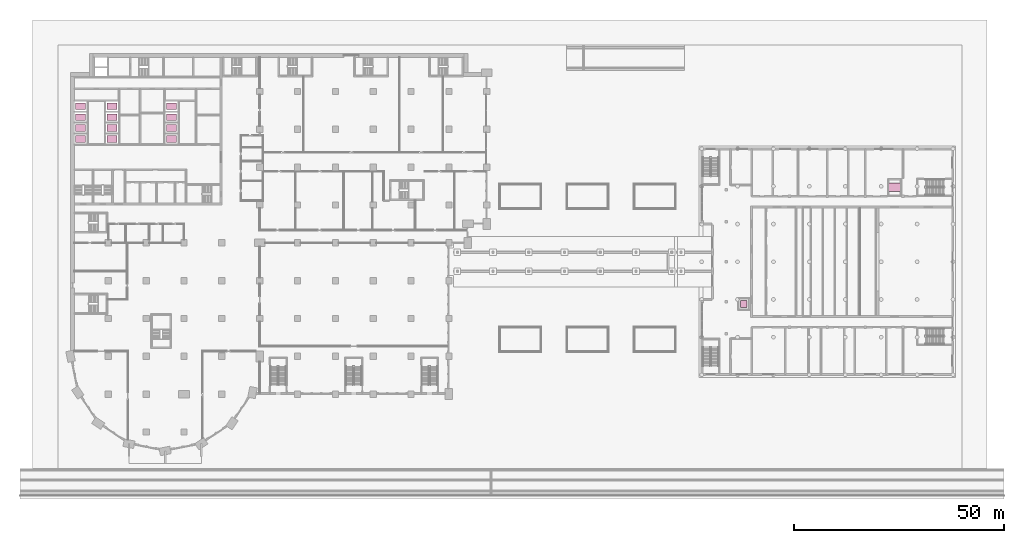
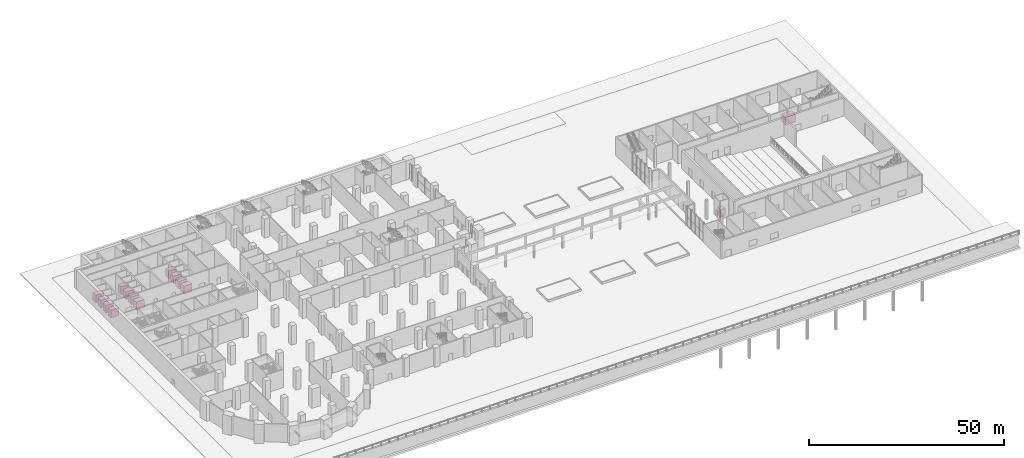
# One storey, part 47 of 47: 14 transport elements.
"""IFC4 building model written with IfcOpenShell, lengths in metres."""

import ifcopenshell
import ifcopenshell.guid

model = None  # the IFC model being written
_history = None  # IfcOwnerHistory: only IFC2X3 demands one
_inside = {}  # id of a spatial element -> (the spatial element, [elements in it])
_under = {}  # id of a project, library or spatial element -> (it, [spatial elements below it])
_declared = {}  # id of a project -> (the project, [libraries it declares])
_typed = {}  # id of a type object -> (the type object, [elements of that type])
_made_of = {}  # id of a material, layer set ... -> (it, [elements and type objects made of it])


def new_model(schema):
    """Start an empty IFC model of exactly this schema.

    Asked for "IFC4X3", IfcOpenShell would pick the latest addendum, in which some entities
    have other attributes; the version numbers below select the first issue.
    IFC2X3 requires an IfcOwnerHistory on every rooted entity: one is made here for all.
    """
    global model, _history
    if schema == "IFC4X3":
        model = ifcopenshell.file(schema_version=(4, 3, 0, 0))
    else:
        model = ifcopenshell.file(schema=schema)
    _inside.clear()
    _under.clear()
    _declared.clear()
    _typed.clear()
    _made_of.clear()
    _history = None
    if model.schema == "IFC2X3":
        org = make("IfcOrganization", Name="unknown")
        user = make(
            "IfcPersonAndOrganization",
            ThePerson=make("IfcPerson", FamilyName="unknown"),
            TheOrganization=org,
        )
        app = make(
            "IfcApplication",
            ApplicationDeveloper=org,
            Version="unknown",
            ApplicationFullName="unknown",
            ApplicationIdentifier="unknown",
        )
        _history = make(
            "IfcOwnerHistory",
            OwningUser=user,
            OwningApplication=app,
            ChangeAction="ADDED",
            CreationDate=0,
        )
    return model


def make(cls, **values):
    """One entity of the class cls with the attributes given. An attribute that is None is left unset."""
    return model.create_entity(
        cls, **{name: value for name, value in values.items() if value is not None}
    )


def rooted(cls, **values):
    """An entity with a GlobalId (a new one), such as an element, a storey or a relation."""
    return make(cls, GlobalId=ifcopenshell.guid.new(), OwnerHistory=_history, **values)


def si_unit(unit_type, name, prefix=None):
    """IfcSIUnit, for example si_unit("LENGTHUNIT", "METRE", prefix="MILLI")."""
    return make("IfcSIUnit", UnitType=unit_type, Prefix=prefix, Name=name)


def assignment(units):
    """IfcUnitAssignment: the units of a project."""
    return None if units is None else make("IfcUnitAssignment", Units=units)


def point(xyz):
    """IfcCartesianPoint."""
    return None if xyz is None else make("IfcCartesianPoint", Coordinates=xyz)


def direction(xyz):
    """IfcDirection."""
    return None if xyz is None else make("IfcDirection", DirectionRatios=xyz)


def frame(location, z_axis=None, x_axis=None):
    """IfcAxis2Placement3D, a coordinate frame: its origin and axes. An axis left out is left unset."""
    return make(
        "IfcAxis2Placement3D",
        Location=point(location),
        Axis=direction(z_axis),
        RefDirection=direction(x_axis),
    )


def frame_2d(location, x_axis=None):
    """IfcAxis2Placement2D, a coordinate frame in the plane: its origin and x axis."""
    return make(
        "IfcAxis2Placement2D", Location=point(location), RefDirection=direction(x_axis)
    )


def origin():
    """The frame at (0, 0, 0) with its axes left unset."""
    return frame((0.0, 0.0, 0.0))


def origin_2d():
    """The frame at (0, 0) in the plane with its x axis left unset."""
    return frame_2d((0.0, 0.0))


def place(relative_to, where):
    """IfcLocalPlacement: puts the frame where relative to a parent placement (None: the world)."""
    return make(
        "IfcLocalPlacement", PlacementRelTo=relative_to, RelativePlacement=where
    )


def context(
    kind, dimensions, precision=None, world=None, true_north=None, identifier=None
):
    """IfcGeometricRepresentationContext, for example the 3D "Model" context."""
    return make(
        "IfcGeometricRepresentationContext",
        ContextIdentifier=identifier,
        ContextType=kind,
        CoordinateSpaceDimension=dimensions,
        Precision=precision,
        WorldCoordinateSystem=world,
        TrueNorth=true_north,
    )


def subcontext(parent, identifier, kind, view, scale=None):
    """IfcGeometricRepresentationSubContext, for example "Body" below "Model"."""
    return make(
        "IfcGeometricRepresentationSubContext",
        ContextIdentifier=identifier,
        ContextType=kind,
        ParentContext=parent,
        TargetScale=scale,
        TargetView=view,
    )


def project(units=None, contexts=None):
    """IfcProject with its units and contexts."""
    return rooted(
        "IfcProject",
        Name="project",
        RepresentationContexts=contexts,
        UnitsInContext=assignment(units),
    )


def spatial(cls, under=None, at=None, **own):
    """A site, building, storey or space (cls), placed at a placement, below another one or the project."""
    s = rooted(cls, ObjectPlacement=at, **own)
    if under is not None:
        _under.setdefault(under.id(), (under, []))[1].append(s)
    return s


def profile(cls, at=None, kind="AREA", **sizes):
    """A parametric profile (cls). Its sizes go by their IFC names, for example OverallWidth=200.0."""
    return make(cls, ProfileType=kind, Position=at, **sizes)


def rectangle(**sizes):
    """IfcRectangleProfileDef."""
    return profile("IfcRectangleProfileDef", **sizes)


def extrude(swept, where, along, depth):
    """IfcExtrudedAreaSolid: the profile swept, set in the frame where, extruded along a direction by depth."""
    return make(
        "IfcExtrudedAreaSolid",
        SweptArea=swept,
        Position=where,
        ExtrudedDirection=direction(along),
        Depth=depth,
    )


def shape(context_of_items, identifier, shape_type, items):
    """IfcShapeRepresentation: the items that make up one representation, for example the "Body"."""
    return make(
        "IfcShapeRepresentation",
        ContextOfItems=context_of_items,
        RepresentationIdentifier=identifier,
        RepresentationType=shape_type,
        Items=items,
    )


def material(Name=None, Category=None):
    """IfcMaterial."""
    return make("IfcMaterial", Name=Name, Category=Category)


def made_of(thing, what):
    """Note that an element or type object is made of a material, layer set ...; save() writes the relation."""
    if what is not None:
        _made_of.setdefault(what.id(), (what, []))[1].append(thing)
    return thing


def type_object(cls, material=None, **own):
    """A type object (cls), such as IfcWallType, which elements share."""
    return made_of(rooted(cls, **own), material)


def element(
    cls,
    number,
    at=None,
    inside=None,
    cuts=None,
    type_object=None,
    material=None,
    context=None,
    identifier="Body",
    shape_type=None,
    held_by="IfcProductDefinitionShape",
    body=None,
    shapes=None,
    **own,
):
    """One element of the class cls, such as IfcWall. Its Tag is "e" and its number.

    at: its placement. inside: the storey or other place that contains it. cuts: it is an
    opening in that element (IfcRelVoidsElement). A single representation is given by context,
    identifier, shape_type and body (its items); several are given by shapes. held_by: the class
    of the entity that holds the representations. save() writes the other relations.
    """
    e = rooted(cls, Tag="e%d" % number, ObjectPlacement=at, **own)
    if body is not None:
        shapes = [shape(context, identifier, shape_type, body)]
    if shapes is not None:
        e.Representation = make(held_by, Representations=shapes)
    if inside is not None:
        _inside.setdefault(inside.id(), (inside, []))[1].append(e)
    if cuts is not None:
        rooted(
            "IfcRelVoidsElement", RelatingBuildingElement=cuts, RelatedOpeningElement=e
        )
    if type_object is not None:
        _typed.setdefault(type_object.id(), (type_object, []))[1].append(e)
    return made_of(e, material)


def aggregate(whole, parts):
    """IfcRelAggregates: a whole, such as a stair, and the parts it consists of."""
    return rooted("IfcRelAggregates", RelatingObject=whole, RelatedObjects=parts)


def save(model, path):
    """Write the relations noted so far, then the file.

    IfcRelAggregates (storeys below a building ...), IfcRelContainedInSpatialStructure (elements
    in a storey), IfcRelDefinesByType, IfcRelAssociatesMaterial and IfcRelDeclares: one each for
    every whole, place, type object, material and project.
    """
    for whole, parts in _under.values():
        aggregate(whole, parts)
    for where, things in _inside.values():
        rooted(
            "IfcRelContainedInSpatialStructure",
            RelatedElements=things,
            RelatingStructure=where,
        )
    for kind, things in _typed.values():
        rooted("IfcRelDefinesByType", RelatedObjects=things, RelatingType=kind)
    for what, things in _made_of.values():
        rooted("IfcRelAssociatesMaterial", RelatedObjects=things, RelatingMaterial=what)
    for by, libraries in _declared.values():
        rooted("IfcRelDeclares", RelatingContext=by, RelatedDefinitions=libraries)
    model.write(path)


model = new_model("IFC4")

# Units and contexts
model_context = context("Model", 3, precision=1e-05, world=origin(), true_north=direction((0.0, 1.0)))
body_context = subcontext(model_context, "Body", "Model", "MODEL_VIEW")
ifc_project = project(units=[si_unit("LENGTHUNIT", "METRE"), si_unit("AREAUNIT", "SQUARE_METRE"), si_unit("VOLUMEUNIT", "CUBIC_METRE"), si_unit("PLANEANGLEUNIT", "RADIAN"), si_unit("MASSUNIT", "GRAM", prefix="KILO")], contexts=[model_context])

# Site, building, storey
site_placement = place(None, origin())
site = spatial("IfcSite", under=ifc_project, at=site_placement, CompositionType="ELEMENT")
building_placement = place(site_placement, origin())
building = spatial("IfcBuilding", under=site, at=building_placement, Name="Hunhe Ridgeline Campus", CompositionType="ELEMENT")
storey_placement = place(building_placement, origin())
storey = spatial("IfcBuildingStorey", under=building, at=storey_placement, Name="L00", CompositionType="ELEMENT", Elevation=0.0)

# Transport elements
ifc_material = material(Name="Stainless steel car", Category="steel")
transport_element_type_1 = type_object("IfcTransportElementType", Name="Hall goods lift car 2000x3000", PredefinedType="ELEVATOR", material=ifc_material)
transport_element_1_placement = place(storey_placement, frame((196.0, 67.175048828125, 0.0), z_axis=(0.0, 0.0, 1.0), x_axis=(1.0, 0.0, 0.0)))
element("IfcTransportElement", 1, at=transport_element_1_placement, inside=storey, type_object=transport_element_type_1, Name="Lift HL2 car", PredefinedType="ELEVATOR", context=body_context, shape_type="SweptSolid", body=[
    extrude(rectangle(XDim=3.0, YDim=2.0, at=origin_2d()), origin(), (0.0, 0.0, 1.0), 2.39990234375),
])
transport_element_type_2 = type_object("IfcTransportElementType", Name="Hall passenger lift car 1600x1500", PredefinedType="ELEVATOR", material=ifc_material)
transport_element_2_placement = place(storey_placement, frame((160.10009765625, 39.449951171875, 0.0), z_axis=(0.0, 0.0, 1.0), x_axis=(1.0, 0.0, 0.0)))
element("IfcTransportElement", 2, at=transport_element_2_placement, inside=storey, type_object=transport_element_type_2, Name="Lift HL1 car", PredefinedType="ELEVATOR", context=body_context, shape_type="SweptSolid", body=[
    extrude(rectangle(XDim=1.5, YDim=1.60009765625, at=origin_2d()), origin(), (0.0, 0.0, 1.0), 2.39990234375),
])
transport_element_type_3 = type_object("IfcTransportElementType", Name="Passenger lift car 1600x2400", PredefinedType="ELEVATOR", material=ifc_material)
for number, where, z_axis, x_axis, name in (
    (3, (2.39990234375, 78.699951171875, 0.0), (0.0, 0.0, 1.0), (1.0, 0.0, 0.0), "Lift LR1 car"),
    (4, (2.39990234375, 81.300048828125, 0.0), (0.0, 0.0, 1.0), (1.0, 0.0, 0.0), "Lift LR2 car"),
    (5, (2.39990234375, 83.89990234375, 0.0), (0.0, 0.0, 1.0), (1.0, 0.0, 0.0), "Lift LR3 car"),
    (6, (2.39990234375, 86.5, 0.0), (0.0, 0.0, 1.0), (1.0, 0.0, 0.0), "Lift LR4 car"),
    (7, (9.89990234375, 78.699951171875, 0.0), (0.0, 0.0, 1.0), (1.0, 0.0, 0.0), "Lift LR5 car"),
    (8, (9.89990234375, 81.300048828125, 0.0), (0.0, 0.0, 1.0), (1.0, 0.0, 0.0), "Lift LR6 car"),
    (9, (9.89990234375, 83.89990234375, 0.0), (0.0, 0.0, 1.0), (1.0, 0.0, 0.0), "Lift LR7 car"),
    (10, (9.89990234375, 86.5, 0.0), (0.0, 0.0, 1.0), (1.0, 0.0, 0.0), "Lift LR8 car"),
    (11, (24.0, 78.699951171875, 0.0), (0.0, 0.0, 1.0), (1.0, 0.0, 0.0), "Lift SH1 car"),
    (12, (24.0, 81.300048828125, 0.0), (0.0, 0.0, 1.0), (1.0, 0.0, 0.0), "Lift SH2 car"),
    (13, (24.0, 83.89990234375, 0.0), (0.0, 0.0, 1.0), (1.0, 0.0, 0.0), "Lift SH3 car"),
    (14, (24.0, 86.5, 0.0), (0.0, 0.0, 1.0), (1.0, 0.0, 0.0), "Lift SH4 car"),
):
    element("IfcTransportElement", number, at=place(storey_placement, frame(where, z_axis=z_axis, x_axis=x_axis)), inside=storey, type_object=transport_element_type_3, Name=name, PredefinedType="ELEVATOR", context=body_context, shape_type="SweptSolid", body=[
        extrude(rectangle(XDim=2.39990234375, YDim=1.60009765625, at=origin_2d()), origin(), (0.0, 0.0, 1.0), 2.39990234375),
    ])

save(model, "model.ifc")
